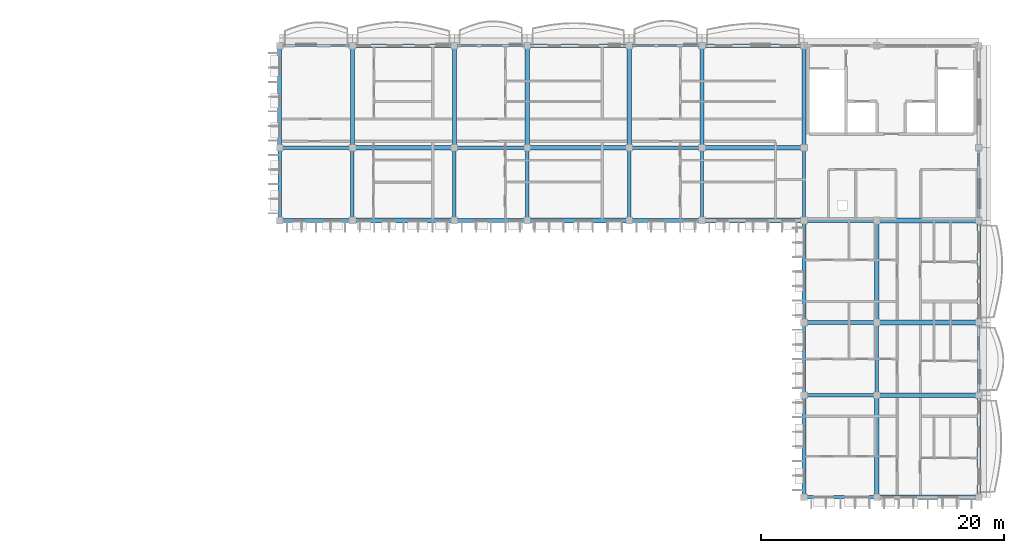
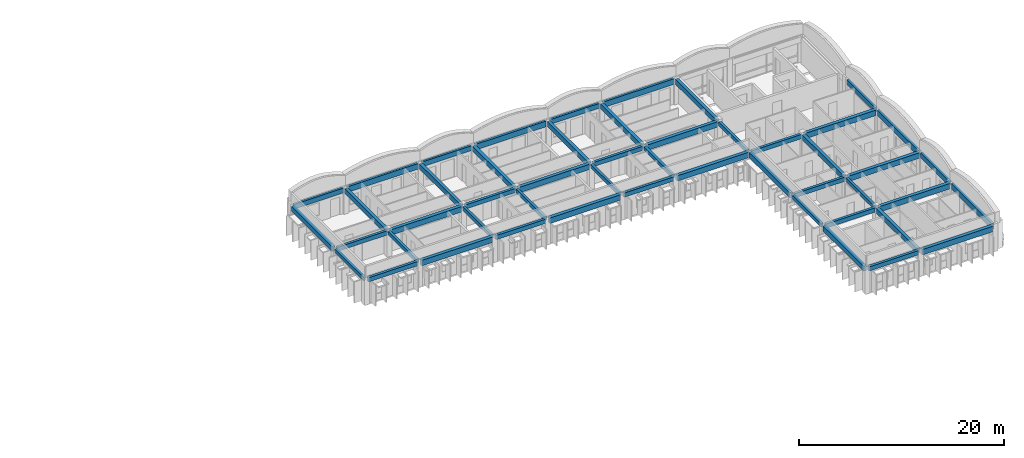
# One storey, part 3 of 28: 50 beams.
"""IFC4 building model written with IfcOpenShell, lengths in metres."""

from ifc_helpers import new_model, si_unit, direction, frame, origin, origin_2d, place, context, subcontext, project, spatial, rectangle, extrude, material, material_profile, profile_set, type_object, element, save


model = new_model("IFC4")

# Units and contexts
model_context = context("Model", 3, precision=1e-05, world=origin(), true_north=direction((0.0, 1.0)))
body_context = subcontext(model_context, "Body", "Model", "MODEL_VIEW")
ifc_project = project(units=[si_unit("LENGTHUNIT", "METRE"), si_unit("AREAUNIT", "SQUARE_METRE"), si_unit("VOLUMEUNIT", "CUBIC_METRE"), si_unit("PLANEANGLEUNIT", "RADIAN"), si_unit("MASSUNIT", "GRAM", prefix="KILO"), si_unit("THERMODYNAMICTEMPERATUREUNIT", "KELVIN")], contexts=[model_context])

# Site, building, storey
site_placement = place(None, origin())
site = spatial("IfcSite", under=ifc_project, at=site_placement, CompositionType="ELEMENT")
building_placement = place(site_placement, origin())
building = spatial("IfcBuilding", under=site, at=building_placement, Name="Thalorik Housing Commons", CompositionType="ELEMENT")
storey_placement = place(building_placement, frame((0.0, 0.0, 41.10009765625)))
storey = spatial("IfcBuildingStorey", under=building, at=storey_placement, Name="L12", CompositionType="ELEMENT", Elevation=41.10009765625)

# Beams
ifc_material = material(Name="Precast concrete C40/50", Category="concrete")
ifc_material_profile_1 = material_profile(ifc_material, rectangle(XDim=0.280029296875, YDim=0.449951171875, at=origin_2d()), Name="PC 280x450", Category="concrete")
ifc_profile_set_1 = profile_set([ifc_material_profile_1], Name="Precast concrete C40/50")
beam_type_1 = type_object("IfcBeamType", Name="STR-BM-PC280x450", PredefinedType="BEAM", material=ifc_profile_set_1)
for number, where, z_axis, x_axis, name in (
    (1, (109.199951171875, 109.425048828125, 2.81494140625), (0.0, 1.0, 0.0), (-1.0, 0.0, 0.0), "L12 Beam B-450"),
    (2, (115.199951171875, 109.425048828125, 2.81494140625), (0.0, 1.0, 0.0), (-1.0, 0.0, 0.0), "L12 Beam B-450"),
    (3, (123.60009765625, 109.425048828125, 2.81494140625), (0.0, 1.0, 0.0), (-1.0, 0.0, 0.0), "L12 Beam B-450"),
    (4, (129.60009765625, 109.425048828125, 2.81494140625), (0.0, 1.0, 0.0), (-1.0, 0.0, 0.0), "L12 Beam B-450"),
    (5, (138.0, 109.425048828125, 2.81494140625), (0.0, 1.0, 0.0), (-1.0, 0.0, 0.0), "L12 Beam B-450"),
    (6, (144.0, 109.425048828125, 2.81494140625), (0.0, 1.0, 0.0), (-1.0, 0.0, 0.0), "L12 Beam B-450"),
    (7, (152.39990234375, 95.02490234375, 2.81494140625), (0.0, 1.0, 0.0), (-1.0, 0.0, 0.0), "L12 Beam B-450"),
    (8, (152.39990234375, 109.425048828125, 2.81494140625), (0.0, 1.0, 0.0), (-1.0, 0.0, 0.0), "L12 Beam B-450"),
    (9, (158.39990234375, 95.02490234375, 2.81494140625), (0.0, 1.0, 0.0), (-1.0, 0.0, 0.0), "L12 Beam B-450"),
):
    element("IfcBeam", number, at=place(storey_placement, frame(where, z_axis=z_axis, x_axis=x_axis)), inside=storey, type_object=beam_type_1, Name=name, PredefinedType="BEAM", context=body_context, shape_type="SweptSolid", body=[
        extrude(rectangle(XDim=0.280029296875, YDim=0.449951171875, at=origin_2d()), origin(), (0.0, 0.0, 1.0), 5.550048828125),
    ])
ifc_material_profile_2 = material_profile(ifc_material, rectangle(XDim=0.300048828125, YDim=0.5, at=origin_2d()), Name="PC 300x500", Category="concrete")
ifc_profile_set_2 = profile_set([ifc_material_profile_2], Name="Precast concrete C40/50")
beam_type_2 = type_object("IfcBeamType", Name="STR-BM-PC300x500", PredefinedType="BEAM", material=ifc_profile_set_2)
for number, where, z_axis, x_axis, name in (
    (10, (152.625, 86.39990234375, 2.789794921875), (1.0, 0.0, 0.0), (0.0, 1.0, 0.0), "L12 Beam B-500"),
    (11, (152.625, 94.800048828125, 2.789794921875), (1.0, 0.0, 0.0), (0.0, 1.0, 0.0), "L12 Beam B-500"),
    (12, (152.625, 100.800048828125, 2.789794921875), (1.0, 0.0, 0.0), (0.0, 1.0, 0.0), "L12 Beam B-500"),
    (13, (109.425048828125, 109.199951171875, 2.789794921875), (1.0, 0.0, 0.0), (0.0, 1.0, 0.0), "L12 Beam B-500"),
    (14, (123.824951171875, 109.199951171875, 2.789794921875), (1.0, 0.0, 0.0), (0.0, 1.0, 0.0), "L12 Beam B-500"),
):
    element("IfcBeam", number, at=place(storey_placement, frame(where, z_axis=z_axis, x_axis=x_axis)), inside=storey, type_object=beam_type_2, Name=name, PredefinedType="BEAM", context=body_context, shape_type="SweptSolid", body=[
        extrude(rectangle(XDim=0.300048828125, YDim=0.5, at=origin_2d()), origin(), (0.0, 0.0, 1.0), 5.550048828125),
    ])
beam_1_placement = place(storey_placement, frame((138.22509765625, 109.199951171875, 2.789794921875), z_axis=(1.0, 0.0, 0.0), x_axis=(0.0, 1.0, 0.0)))
element("IfcBeam", 15, at=beam_1_placement, inside=storey, type_object=beam_type_2, Name="L12 Beam B-500", PredefinedType="BEAM", context=body_context, shape_type="SweptSolid", body=[
    extrude(rectangle(XDim=0.300048828125, YDim=0.5, at=origin_2d()), origin(), (0.0, 0.0, 1.0), 5.5498046875),
])
for number, where, z_axis, x_axis, name in (
    (16, (152.625, 109.199951171875, 2.789794921875), (1.0, 0.0, 0.0), (0.0, 1.0, 0.0), "L12 Beam B-500"),
    (17, (109.425048828125, 115.199951171875, 2.789794921875), (1.0, 0.0, 0.0), (0.0, 1.0, 0.0), "L12 Beam B-500"),
    (18, (123.824951171875, 115.199951171875, 2.789794921875), (1.0, 0.0, 0.0), (0.0, 1.0, 0.0), "L12 Beam B-500"),
):
    element("IfcBeam", number, at=place(storey_placement, frame(where, z_axis=z_axis, x_axis=x_axis)), inside=storey, type_object=beam_type_2, Name=name, PredefinedType="BEAM", context=body_context, shape_type="SweptSolid", body=[
        extrude(rectangle(XDim=0.300048828125, YDim=0.5, at=origin_2d()), origin(), (0.0, 0.0, 1.0), 5.550048828125),
    ])
beam_2_placement = place(storey_placement, frame((138.22509765625, 115.199951171875, 2.789794921875), z_axis=(1.0, 0.0, 0.0), x_axis=(0.0, 1.0, 0.0)))
element("IfcBeam", 19, at=beam_2_placement, inside=storey, type_object=beam_type_2, Name="L12 Beam B-500", PredefinedType="BEAM", context=body_context, shape_type="SweptSolid", body=[
    extrude(rectangle(XDim=0.300048828125, YDim=0.5, at=origin_2d()), origin(), (0.0, 0.0, 1.0), 5.5498046875),
])
ifc_material_profile_3 = material_profile(ifc_material, rectangle(XDim=0.35009765625, YDim=0.60009765625, at=origin_2d()), Name="PC 350x600", Category="concrete")
ifc_profile_set_3 = profile_set([ifc_material_profile_3], Name="Precast concrete C40/50")
beam_type_3 = type_object("IfcBeamType", Name="STR-BM-PC350x600", PredefinedType="BEAM", material=ifc_profile_set_3)
for number, where, z_axis, x_axis, name in (
    (20, (109.199951171875, 115.425048828125, 2.739990234375), (0.0, 1.0, 0.0), (-1.0, 0.0, 0.0), "L12 Beam B-600"),
    (21, (115.199951171875, 115.425048828125, 2.739990234375), (0.0, 1.0, 0.0), (-1.0, 0.0, 0.0), "L12 Beam B-600"),
    (22, (123.60009765625, 115.425048828125, 2.739990234375), (0.0, 1.0, 0.0), (-1.0, 0.0, 0.0), "L12 Beam B-600"),
    (23, (129.60009765625, 115.425048828125, 2.739990234375), (0.0, 1.0, 0.0), (-1.0, 0.0, 0.0), "L12 Beam B-600"),
    (24, (138.0, 115.425048828125, 2.739990234375), (0.0, 1.0, 0.0), (-1.0, 0.0, 0.0), "L12 Beam B-600"),
    (25, (144.0, 115.425048828125, 2.739990234375), (0.0, 1.0, 0.0), (-1.0, 0.0, 0.0), "L12 Beam B-600"),
    (26, (152.39990234375, 86.625, 2.739990234375), (0.0, 1.0, 0.0), (-1.0, 0.0, 0.0), "L12 Beam B-600"),
):
    element("IfcBeam", number, at=place(storey_placement, frame(where, z_axis=z_axis, x_axis=x_axis)), inside=storey, type_object=beam_type_3, Name=name, PredefinedType="BEAM", context=body_context, shape_type="SweptSolid", body=[
        extrude(rectangle(XDim=0.35009765625, YDim=0.60009765625, at=origin_2d()), origin(), (0.0, 0.0, 1.0), 7.949951171875),
    ])
beam_3_placement = place(storey_placement, frame((152.39990234375, 101.02490234375, 2.739990234375), z_axis=(0.0, 1.0, 0.0), x_axis=(-1.0, 0.0, 0.0)))
element("IfcBeam", 27, at=beam_3_placement, inside=storey, type_object=beam_type_3, Name="L12 Beam B-600", PredefinedType="BEAM", context=body_context, shape_type="SweptSolid", body=[
    extrude(rectangle(XDim=0.35009765625, YDim=0.60009765625, at=origin_2d()), origin(), (0.0, 0.0, 1.0), 7.9501953125),
])
for number, where, z_axis, x_axis, name in (
    (28, (152.39990234375, 115.425048828125, 2.739990234375), (0.0, 1.0, 0.0), (-1.0, 0.0, 0.0), "L12 Beam B-600"),
    (29, (158.39990234375, 86.625, 2.739990234375), (0.0, 1.0, 0.0), (-1.0, 0.0, 0.0), "L12 Beam B-600"),
):
    element("IfcBeam", number, at=place(storey_placement, frame(where, z_axis=z_axis, x_axis=x_axis)), inside=storey, type_object=beam_type_3, Name=name, PredefinedType="BEAM", context=body_context, shape_type="SweptSolid", body=[
        extrude(rectangle(XDim=0.35009765625, YDim=0.60009765625, at=origin_2d()), origin(), (0.0, 0.0, 1.0), 7.949951171875),
    ])
beam_4_placement = place(storey_placement, frame((158.39990234375, 101.02490234375, 2.739990234375), z_axis=(0.0, 1.0, 0.0), x_axis=(-1.0, 0.0, 0.0)))
element("IfcBeam", 30, at=beam_4_placement, inside=storey, type_object=beam_type_3, Name="L12 Beam B-600", PredefinedType="BEAM", context=body_context, shape_type="SweptSolid", body=[
    extrude(rectangle(XDim=0.35009765625, YDim=0.60009765625, at=origin_2d()), origin(), (0.0, 0.0, 1.0), 7.9501953125),
])
ifc_material_profile_4 = material_profile(ifc_material, rectangle(XDim=0.3798828125, YDim=0.64990234375, at=origin_2d()), Name="PC 380x650", Category="concrete")
ifc_profile_set_4 = profile_set([ifc_material_profile_4], Name="Precast concrete C40/50")
beam_type_4 = type_object("IfcBeamType", Name="STR-BM-PC380x650", PredefinedType="BEAM", material=ifc_profile_set_4)
for number, where, z_axis, x_axis, name in (
    (31, (158.625, 86.39990234375, 2.71484375), (1.0, 0.0, 0.0), (0.0, 1.0, 0.0), "L12 Beam B-650"),
    (32, (158.625, 94.800048828125, 2.71484375), (1.0, 0.0, 0.0), (0.0, 1.0, 0.0), "L12 Beam B-650"),
    (33, (158.625, 100.800048828125, 2.71484375), (1.0, 0.0, 0.0), (0.0, 1.0, 0.0), "L12 Beam B-650"),
    (34, (115.425048828125, 109.199951171875, 2.71484375), (1.0, 0.0, 0.0), (0.0, 1.0, 0.0), "L12 Beam B-650"),
    (35, (129.824951171875, 109.199951171875, 2.71484375), (1.0, 0.0, 0.0), (0.0, 1.0, 0.0), "L12 Beam B-650"),
    (36, (144.22509765625, 109.199951171875, 2.71484375), (1.0, 0.0, 0.0), (0.0, 1.0, 0.0), "L12 Beam B-650"),
    (37, (158.625, 109.199951171875, 2.71484375), (1.0, 0.0, 0.0), (0.0, 1.0, 0.0), "L12 Beam B-650"),
    (38, (115.425048828125, 115.199951171875, 2.71484375), (1.0, 0.0, 0.0), (0.0, 1.0, 0.0), "L12 Beam B-650"),
    (39, (129.824951171875, 115.199951171875, 2.71484375), (1.0, 0.0, 0.0), (0.0, 1.0, 0.0), "L12 Beam B-650"),
    (40, (144.22509765625, 115.199951171875, 2.71484375), (1.0, 0.0, 0.0), (0.0, 1.0, 0.0), "L12 Beam B-650"),
):
    element("IfcBeam", number, at=place(storey_placement, frame(where, z_axis=z_axis, x_axis=x_axis)), inside=storey, type_object=beam_type_4, Name=name, PredefinedType="BEAM", context=body_context, shape_type="SweptSolid", body=[
        extrude(rectangle(XDim=0.3798828125, YDim=0.64990234375, at=origin_2d()), origin(), (0.0, 0.0, 1.0), 7.949951171875),
    ])
ifc_material_profile_5 = material_profile(ifc_material, rectangle(XDim=0.239990234375, YDim=0.580078125, at=origin_2d()), Name="PC SP 240x580", Category="concrete")
ifc_profile_set_5 = profile_set([ifc_material_profile_5], Name="Precast concrete C40/50")
beam_type_5 = type_object("IfcBeamType", Name="STR-SP-PC240x580", PredefinedType="SPANDREL", material=ifc_profile_set_5)
for number, where, z_axis, x_axis, name in (
    (41, (109.425048828125, 123.60009765625, 2.75), (1.0, 0.0, 0.0), (0.0, 1.0, 0.0), "L12 Beam B-500"),
    (42, (123.824951171875, 123.60009765625, 2.75), (1.0, 0.0, 0.0), (0.0, 1.0, 0.0), "L12 Beam B-500"),
):
    element("IfcBeam", number, at=place(storey_placement, frame(where, z_axis=z_axis, x_axis=x_axis)), inside=storey, type_object=beam_type_5, Name=name, PredefinedType="SPANDREL", context=body_context, shape_type="SweptSolid", body=[
        extrude(rectangle(XDim=0.239990234375, YDim=0.580078125, at=origin_2d()), origin(), (0.0, 0.0, 1.0), 5.550048828125),
    ])
beam_5_placement = place(storey_placement, frame((138.22509765625, 123.60009765625, 2.75), z_axis=(1.0, 0.0, 0.0), x_axis=(0.0, 1.0, 0.0)))
element("IfcBeam", 43, at=beam_5_placement, inside=storey, type_object=beam_type_5, Name="L12 Beam B-500", PredefinedType="SPANDREL", context=body_context, shape_type="SweptSolid", body=[
    extrude(rectangle(XDim=0.239990234375, YDim=0.580078125, at=origin_2d()), origin(), (0.0, 0.0, 1.0), 5.5498046875),
])
for number, where, z_axis, x_axis, name in (
    (44, (166.800048828125, 95.02490234375, 2.75), (0.0, 1.0, 0.0), (-1.0, 0.0, 0.0), "L12 Beam B-450"),
    (45, (166.800048828125, 109.425048828125, 2.75), (0.0, 1.0, 0.0), (-1.0, 0.0, 0.0), "L12 Beam B-450"),
):
    element("IfcBeam", number, at=place(storey_placement, frame(where, z_axis=z_axis, x_axis=x_axis)), inside=storey, type_object=beam_type_5, Name=name, PredefinedType="SPANDREL", context=body_context, shape_type="SweptSolid", body=[
        extrude(rectangle(XDim=0.239990234375, YDim=0.580078125, at=origin_2d()), origin(), (0.0, 0.0, 1.0), 5.550048828125),
    ])
ifc_material_profile_6 = material_profile(ifc_material, rectangle(XDim=0.260009765625, YDim=0.679931640625, at=origin_2d()), Name="PC SP 260x680", Category="concrete")
ifc_profile_set_6 = profile_set([ifc_material_profile_6], Name="Precast concrete C40/50")
beam_type_6 = type_object("IfcBeamType", Name="STR-SP-PC260x680", PredefinedType="SPANDREL", material=ifc_profile_set_6)
for number, where, z_axis, x_axis, name in (
    (46, (115.425048828125, 123.60009765625, 2.699951171875), (1.0, 0.0, 0.0), (0.0, 1.0, 0.0), "L12 Beam B-650"),
    (47, (129.824951171875, 123.60009765625, 2.699951171875), (1.0, 0.0, 0.0), (0.0, 1.0, 0.0), "L12 Beam B-650"),
    (48, (144.22509765625, 123.60009765625, 2.699951171875), (1.0, 0.0, 0.0), (0.0, 1.0, 0.0), "L12 Beam B-650"),
    (49, (166.800048828125, 86.625, 2.699951171875), (0.0, 1.0, 0.0), (-1.0, 0.0, 0.0), "L12 Beam B-600"),
):
    element("IfcBeam", number, at=place(storey_placement, frame(where, z_axis=z_axis, x_axis=x_axis)), inside=storey, type_object=beam_type_6, Name=name, PredefinedType="SPANDREL", context=body_context, shape_type="SweptSolid", body=[
        extrude(rectangle(XDim=0.260009765625, YDim=0.679931640625, at=origin_2d()), origin(), (0.0, 0.0, 1.0), 7.949951171875),
    ])
beam_6_placement = place(storey_placement, frame((166.800048828125, 101.02490234375, 2.699951171875), z_axis=(0.0, 1.0, 0.0), x_axis=(-1.0, 0.0, 0.0)))
element("IfcBeam", 50, at=beam_6_placement, inside=storey, type_object=beam_type_6, Name="L12 Beam B-600", PredefinedType="SPANDREL", context=body_context, shape_type="SweptSolid", body=[
    extrude(rectangle(XDim=0.260009765625, YDim=0.679931640625, at=origin_2d()), origin(), (0.0, 0.0, 1.0), 7.9501953125),
])

save(model, "model.ifc")
